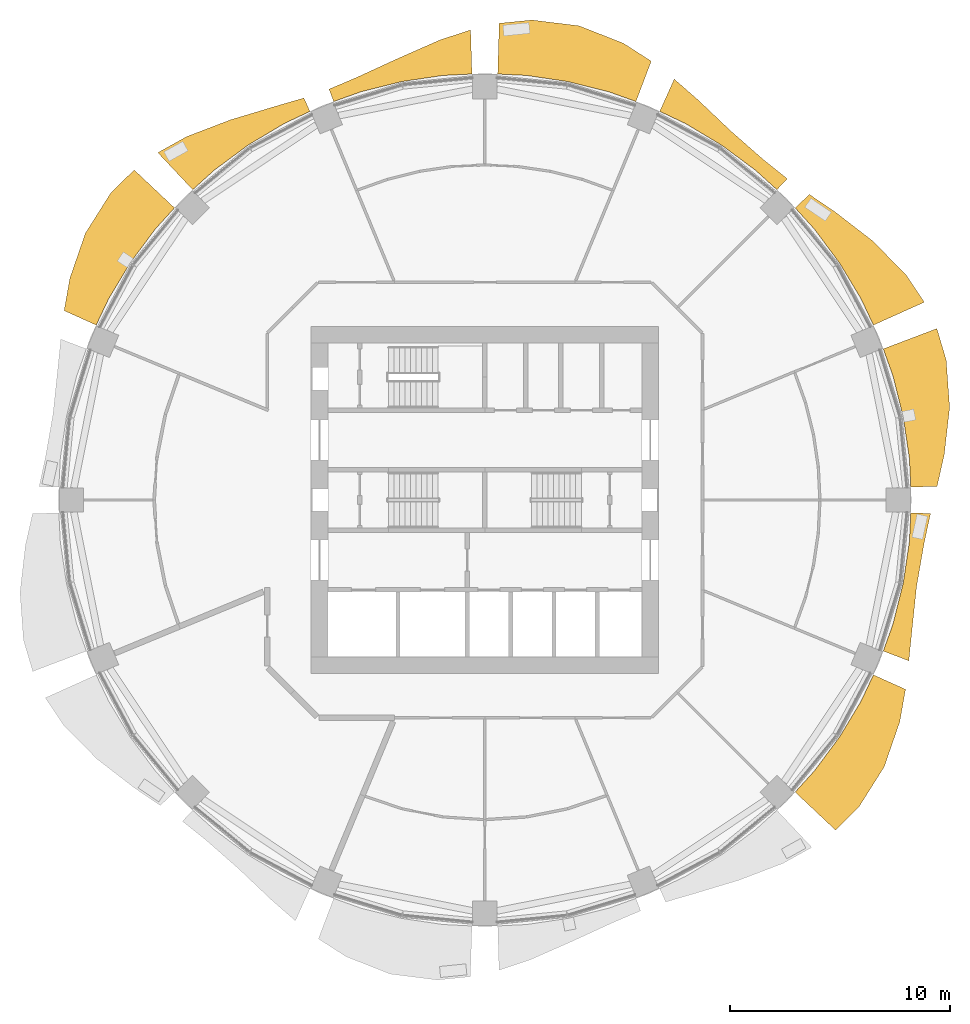
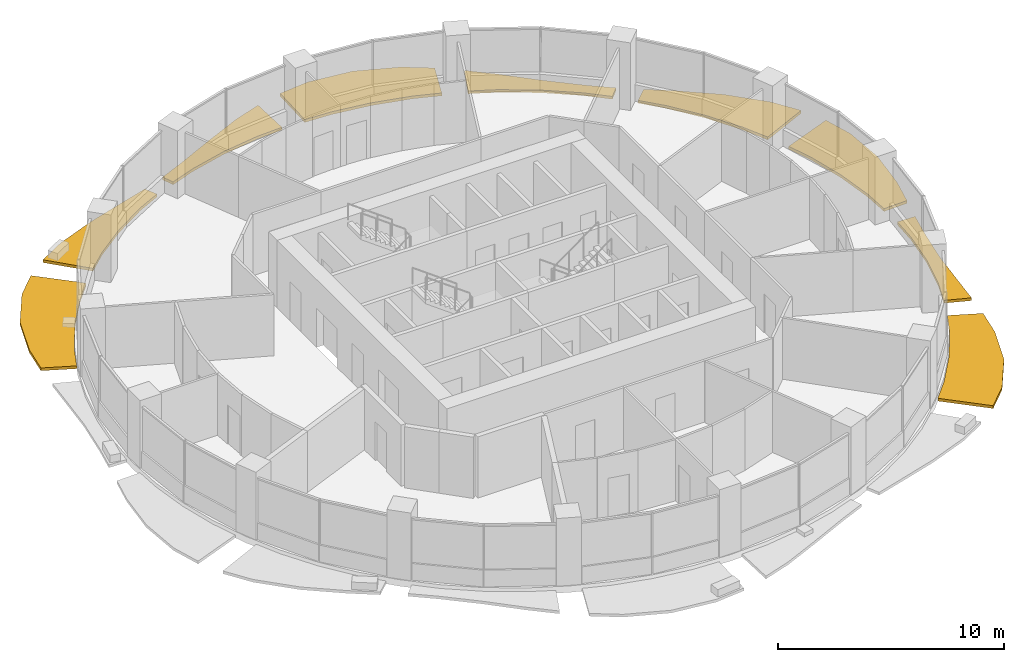
# One storey, part 13 of 14: 9 shading devices.
"""IFC4 building model written with IfcOpenShell, lengths in metres."""

from ifc_helpers import new_model, si_unit, direction, frame, origin, place, context, subcontext, project, spatial, polyline, outline, extrude, material, type_object, element, save


model = new_model("IFC4")

# Units and contexts
model_context = context("Model", 3, precision=1e-05, world=origin(), true_north=direction((0.0, 1.0)))
body_context = subcontext(model_context, "Body", "Model", "MODEL_VIEW")
ifc_project = project(units=[si_unit("LENGTHUNIT", "METRE"), si_unit("AREAUNIT", "SQUARE_METRE"), si_unit("VOLUMEUNIT", "CUBIC_METRE"), si_unit("PLANEANGLEUNIT", "RADIAN"), si_unit("MASSUNIT", "GRAM", prefix="KILO")], contexts=[model_context])

# Site, building, storey
site_placement = place(None, origin())
site = spatial("IfcSite", under=ifc_project, at=site_placement, CompositionType="ELEMENT")
building_placement = place(site_placement, origin())
building = spatial("IfcBuilding", under=site, at=building_placement, Name="Polderwave Tower", CompositionType="ELEMENT")
storey_placement = place(building_placement, frame((0.0, 0.0, 91.0)))
storey = spatial("IfcBuildingStorey", under=building, at=storey_placement, Name="L23", CompositionType="ELEMENT", Elevation=91.0)

# Shading devices
ifc_material = material(Name="Terracotta", Category="masonry")
shading_device_type = type_object("IfcShadingDeviceType", Name="Terracotta sunshade band", PredefinedType="USERDEFINED", material=ifc_material)
shading_device_1_placement = place(storey_placement, frame((0.0, 0.0, -0.35009765625)))
element("IfcShadingDevice", 1, at=shading_device_1_placement, inside=storey, type_object=shading_device_type, Name="Sunshade band L23 1", ObjectType="SUNSHADE", PredefinedType="USERDEFINED", context=body_context, shape_type="SweptSolid", body=[
    extrude(outline(polyline([(19.3212890625, 0.583984375), (19.2568359375, 1.896484375), (18.978271484375, 3.77490234375), (18.516845703125, 5.616943359375), (18.073974609375, 6.8544921875), (20.5048828125, 7.776611328125), (20.92822265625, 6.348388671875), (21.083984375, 4.19384765625), (20.8388671875, 2.052490234375), (20.5146484375, 0.6201171875), (19.3212890625, 0.583984375)])), origin(), (0.0, 0.0, 1.0), 0.150146484375),
])
shading_device_2_placement = place(storey_placement, frame((0.0, 0.0, -0.35009765625)))
element("IfcShadingDevice", 2, at=shading_device_2_placement, inside=storey, type_object=shading_device_type, Name="Sunshade band L23 2", ObjectType="SUNSHADE", PredefinedType="USERDEFINED", context=body_context, shape_type="SweptSolid", body=[
    extrude(outline(polyline([(17.627197265625, 7.933349609375), (17.065185546875, 9.12158203125), (16.0888671875, 10.750244140625), (14.957763671875, 12.275390625), (14.0751953125, 13.24951171875), (14.722900390625, 13.859130859375), (15.906005859375, 13.0537109375), (17.58984375, 11.753173828125), (19.106201171875, 10.21240234375), (19.937255859375, 8.97314453125), (17.627197265625, 7.933349609375)])), origin(), (0.0, 0.0, 1.0), 0.150146484375),
])
shading_device_3_placement = place(storey_placement, frame((0.0, 0.0, -0.35009765625)))
element("IfcShadingDevice", 3, at=shading_device_3_placement, inside=storey, type_object=shading_device_type, Name="Sunshade band L23 3", ObjectType="SUNSHADE", PredefinedType="USERDEFINED", context=body_context, shape_type="SweptSolid", body=[
    extrude(outline(polyline([(13.24951171875, 14.0751953125), (12.275390625, 14.957763671875), (10.750244140625, 16.0888671875), (9.12158203125, 17.065185546875), (7.933349609375, 17.627197265625), (8.592041015625, 19.090576171875), (9.69091796875, 18.13037109375), (11.174072265625, 16.72314453125), (12.65625, 15.421630859375), (13.7197265625, 14.57470703125), (13.24951171875, 14.0751953125)])), origin(), (0.0, 0.0, 1.0), 0.150146484375),
])
shading_device_4_placement = place(storey_placement, frame((0.0, 0.0, -0.35009765625)))
element("IfcShadingDevice", 4, at=shading_device_4_placement, inside=storey, type_object=shading_device_type, Name="Sunshade band L23 4", ObjectType="SUNSHADE", PredefinedType="USERDEFINED", context=body_context, shape_type="SweptSolid", body=[
    extrude(outline(polyline([(6.8544921875, 18.073974609375), (5.616943359375, 18.516845703125), (3.77490234375, 18.978271484375), (1.896484375, 19.2568359375), (0.583984375, 19.3212890625), (0.653564453125, 21.6240234375), (2.144287109375, 21.7724609375), (4.278076171875, 21.50732421875), (6.28466796875, 20.717529296875), (7.54931640625, 19.90576171875), (6.8544921875, 18.073974609375)])), origin(), (0.0, 0.0, 1.0), 0.150146484375),
])
shading_device_5_placement = place(storey_placement, frame((0.0, 0.0, -0.35009765625)))
element("IfcShadingDevice", 5, at=shading_device_5_placement, inside=storey, type_object=shading_device_type, Name="Sunshade band L23 5", ObjectType="SUNSHADE", PredefinedType="USERDEFINED", context=body_context, shape_type="SweptSolid", body=[
    extrude(outline(polyline([(-0.583984375, 19.3212890625), (-1.896484375, 19.2568359375), (-3.77490234375, 18.978271484375), (-5.616943359375, 18.516845703125), (-6.8544921875, 18.073974609375), (-7.0673828125, 18.635009765625), (-5.814453125, 19.16748046875), (-3.98046875, 20.010986328125), (-2.054443359375, 20.859375), (-0.64453125, 21.326416015625), (-0.583984375, 19.3212890625)])), origin(), (0.0, 0.0, 1.0), 0.150146484375),
])
shading_device_6_placement = place(storey_placement, frame((0.0, 0.0, -0.35009765625)))
element("IfcShadingDevice", 6, at=shading_device_6_placement, inside=storey, type_object=shading_device_type, Name="Sunshade band L23 6", ObjectType="SUNSHADE", PredefinedType="USERDEFINED", context=body_context, shape_type="SweptSolid", body=[
    extrude(outline(polyline([(-7.933349609375, 17.627197265625), (-9.12158203125, 17.065185546875), (-10.750244140625, 16.0888671875), (-12.275390625, 14.957763671875), (-13.24951171875, 14.0751953125), (-14.8330078125, 15.757568359375), (-13.527099609375, 16.48291015625), (-11.525146484375, 17.248779296875), (-9.5390625, 17.84619140625), (-8.20703125, 18.235107421875), (-7.933349609375, 17.627197265625)])), origin(), (0.0, 0.0, 1.0), 0.150146484375),
])
shading_device_7_placement = place(storey_placement, frame((0.0, 0.0, -0.35009765625)))
element("IfcShadingDevice", 7, at=shading_device_7_placement, inside=storey, type_object=shading_device_type, Name="Sunshade band L23 7", ObjectType="SUNSHADE", PredefinedType="USERDEFINED", context=body_context, shape_type="SweptSolid", body=[
    extrude(outline(polyline([(-14.0751953125, 13.24951171875), (-14.957763671875, 12.275390625), (-16.0888671875, 10.750244140625), (-17.065185546875, 9.12158203125), (-17.627197265625, 7.933349609375), (-19.081787109375, 8.588134765625), (-18.822021484375, 10.060546875), (-18.115478515625, 12.104248046875), (-16.967529296875, 13.9248046875), (-15.905517578125, 14.972412109375), (-14.0751953125, 13.24951171875)])), origin(), (0.0, 0.0, 1.0), 0.150146484375),
])
shading_device_8_placement = place(storey_placement, frame((0.0, 0.0, -0.35009765625)))
element("IfcShadingDevice", 8, at=shading_device_8_placement, inside=storey, type_object=shading_device_type, Name="Sunshade band L23 15", ObjectType="SUNSHADE", PredefinedType="USERDEFINED", context=body_context, shape_type="SweptSolid", body=[
    extrude(outline(polyline([(14.0751953125, -13.24951171875), (14.957763671875, -12.275390625), (16.0888671875, -10.750244140625), (17.065185546875, -9.12158203125), (17.627197265625, -7.933349609375), (19.081787109375, -8.588134765625), (18.822021484375, -10.060546875), (18.115478515625, -12.104248046875), (16.967529296875, -13.9248046875), (15.905517578125, -14.972412109375), (14.0751953125, -13.24951171875)])), origin(), (0.0, 0.0, 1.0), 0.150146484375),
])
shading_device_9_placement = place(storey_placement, frame((0.0, 0.0, -0.35009765625)))
element("IfcShadingDevice", 9, at=shading_device_9_placement, inside=storey, type_object=shading_device_type, Name="Sunshade band L23 16", ObjectType="SUNSHADE", PredefinedType="USERDEFINED", context=body_context, shape_type="SweptSolid", body=[
    extrude(outline(polyline([(18.073974609375, -6.8544921875), (18.516845703125, -5.616943359375), (18.978271484375, -3.77490234375), (19.2568359375, -1.896484375), (19.3212890625, -0.583984375), (20.21728515625, -0.611083984375), (19.92578125, -1.96240234375), (19.58740234375, -3.896240234375), (19.37841796875, -5.87841796875), (19.234375, -7.29443359375), (18.073974609375, -6.8544921875)])), origin(), (0.0, 0.0, 1.0), 0.150146484375),
])

save(model, "model.ifc")
